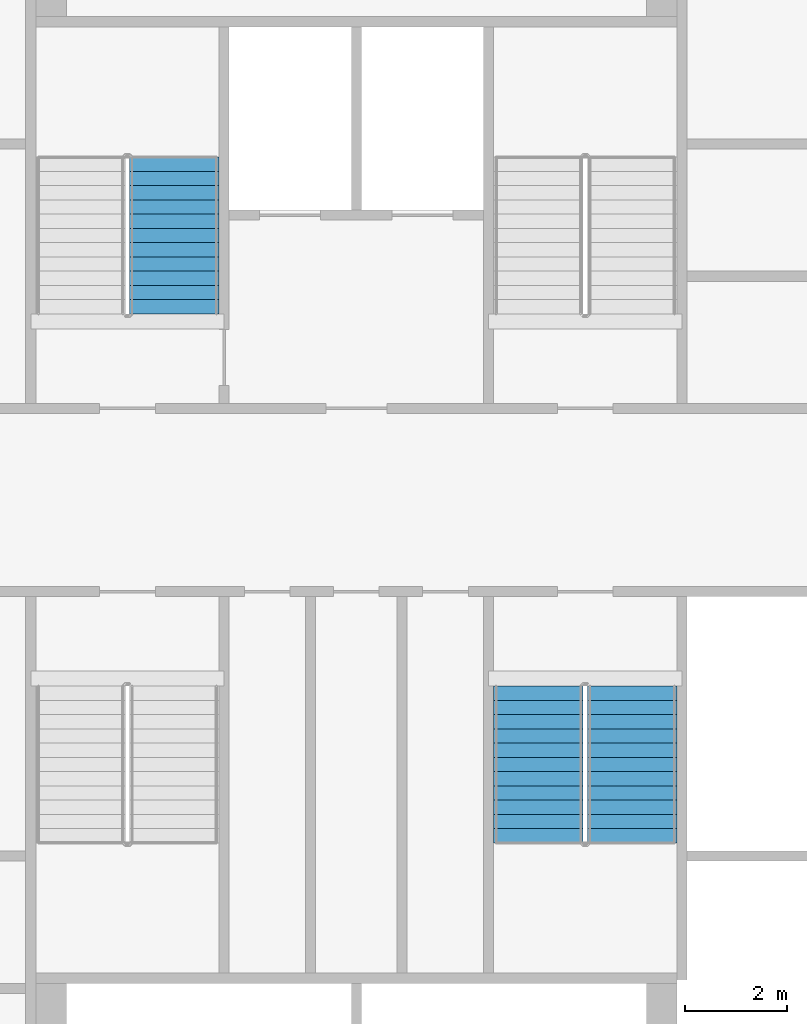
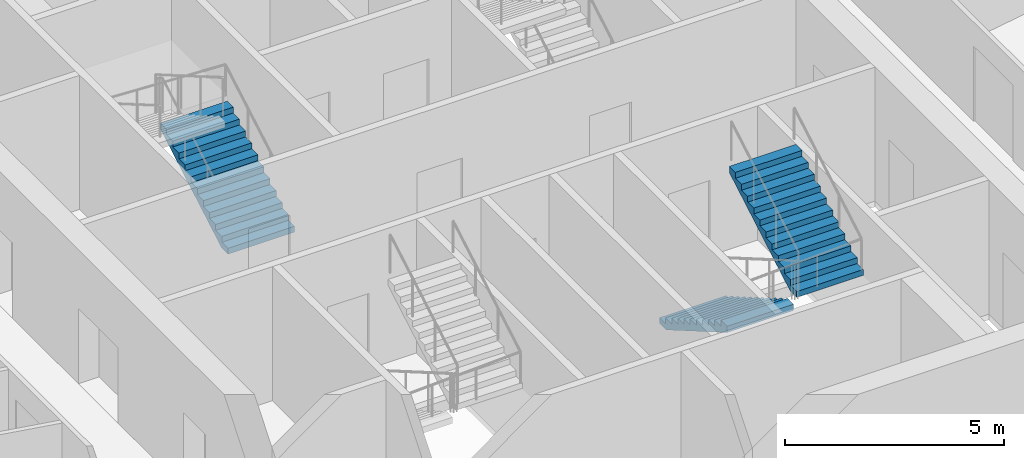
# One storey, part 8 of 14: 3 stair flights, 2 elements without a shape of their own.
"""IFC4 building model written with IfcOpenShell, lengths in metres."""

from ifc_helpers import new_model, si_unit, direction, frame, origin, place, context, subcontext, project, spatial, faceted_brep, material, type_object, element, aggregate, save


model = new_model("IFC4")

# Units and contexts
model_context = context("Model", 3, precision=1e-05, world=origin(), true_north=direction((0.0, 1.0)))
body_context = subcontext(model_context, "Body", "Model", "MODEL_VIEW")
ifc_project = project(units=[si_unit("LENGTHUNIT", "METRE"), si_unit("AREAUNIT", "SQUARE_METRE"), si_unit("VOLUMEUNIT", "CUBIC_METRE"), si_unit("PLANEANGLEUNIT", "RADIAN"), si_unit("MASSUNIT", "GRAM", prefix="KILO")], contexts=[model_context])

# Site, building, storey
site_placement = place(None, origin())
site = spatial("IfcSite", under=ifc_project, at=site_placement, CompositionType="ELEMENT")
building_placement = place(site_placement, origin())
building = spatial("IfcBuilding", under=site, at=building_placement, Name="Tarsis Ring Headquarters", CompositionType="ELEMENT")
storey_placement = place(building_placement, frame((0.0, 0.0, 235.5)))
storey = spatial("IfcBuildingStorey", under=building, at=storey_placement, Name="L55", CompositionType="ELEMENT", Elevation=235.5)

# Stair, stair flight
ifc_material_1 = material(Name="Core stair 1760")
stair_type = type_object("IfcStairType", Name="Core stair 1760", PredefinedType="HALF_TURN_STAIR", material=ifc_material_1)
stair_1_placement = place(storey_placement, origin())
stair_1 = element("IfcStair", 1, at=stair_1_placement, inside=storey, type_object=stair_type, Name="L55 Firefighting stair", PredefinedType="HALF_TURN_STAIR")
ifc_material_2 = material(Name="Concrete C40/50", Category="concrete")
stair_flight_type = type_object("IfcStairFlightType", Name="Core stair flight 1760", PredefinedType="STRAIGHT", material=ifc_material_2)
stair_flight_1_placement = place(storey_placement, frame((-3.580078125, 3.659912109375, 0.0), z_axis=(0.0, 0.0, 1.0), x_axis=(0.0, 1.0, 0.0)))
stair_flight_1 = element("IfcStairFlight", 2, at=stair_flight_1_placement, type_object=stair_flight_type, Name="Stair ST1 flight 1", NumberOfRisers=12, NumberOfTreads=11, PredefinedType="STRAIGHT", RiserHeight=0.1625, TreadLength=0.28, context=body_context, shape_type="Brep", body=[
    faceted_brep([(0.0, 0.8798828125, 0.0), (0.0, 0.8798828125, 0.16259765625), (0.280029296875, 0.8798828125, 0.16259765625), (0.280029296875, 0.8798828125, 0.324951171875), (0.56005859375, 0.8798828125, 0.324951171875), (0.56005859375, 0.8798828125, 0.487548828125), (0.840087890625, 0.8798828125, 0.487548828125), (0.840087890625, 0.8798828125, 0.64990234375), (1.1201171875, 0.8798828125, 0.64990234375), (1.1201171875, 0.8798828125, 0.8125), (1.39990234375, 0.8798828125, 0.8125), (1.39990234375, 0.8798828125, 0.97509765625), (1.679931640625, 0.8798828125, 0.97509765625), (1.679931640625, 0.8798828125, 1.137451171875), (1.9599609375, 0.8798828125, 1.137451171875), (1.9599609375, 0.8798828125, 1.300048828125), (2.239990234375, 0.8798828125, 1.300048828125), (2.239990234375, 0.8798828125, 1.46240234375), (2.52001953125, 0.8798828125, 1.46240234375), (2.52001953125, 0.8798828125, 1.625), (2.800048828125, 0.8798828125, 1.625), (2.800048828125, 0.8798828125, 1.78759765625), (3.080078125, 0.8798828125, 1.78759765625), (3.080078125, 0.8798828125, 1.6142578125), (0.298583984375, 0.8798828125, 0.0), (0.298583984375, -0.8798828125, 0.0), (3.080078125, -0.8798828125, 1.6142578125), (3.080078125, -0.8798828125, 1.78759765625), (2.800048828125, -0.8798828125, 1.78759765625), (2.800048828125, -0.8798828125, 1.625), (2.52001953125, -0.8798828125, 1.625), (2.52001953125, -0.8798828125, 1.46240234375), (2.239990234375, -0.8798828125, 1.46240234375), (2.239990234375, -0.8798828125, 1.300048828125), (1.9599609375, -0.8798828125, 1.300048828125), (1.9599609375, -0.8798828125, 1.137451171875), (1.679931640625, -0.8798828125, 1.137451171875), (1.679931640625, -0.8798828125, 0.97509765625), (1.39990234375, -0.8798828125, 0.97509765625), (1.39990234375, -0.8798828125, 0.8125), (1.1201171875, -0.8798828125, 0.8125), (1.1201171875, -0.8798828125, 0.64990234375), (0.840087890625, -0.8798828125, 0.64990234375), (0.840087890625, -0.8798828125, 0.487548828125), (0.56005859375, -0.8798828125, 0.487548828125), (0.56005859375, -0.8798828125, 0.324951171875), (0.280029296875, -0.8798828125, 0.324951171875), (0.280029296875, -0.8798828125, 0.16259765625), (0.0, -0.8798828125, 0.16259765625), (0.0, -0.8798828125, 0.0), (0.0, -0.43994140625, 0.16259765625), (0.0, -0.43994140625, 0.0), (0.0, 0.0, 0.16259765625), (0.0, 0.0, 0.0), (0.0, 0.43994140625, 0.16259765625), (0.0, 0.43994140625, 0.0), (0.280029296875, -0.43994140625, 0.16259765625), (0.280029296875, 0.0, 0.16259765625), (0.280029296875, 0.43994140625, 0.16259765625), (0.280029296875, -0.43994140625, 0.324951171875), (0.280029296875, 0.0, 0.324951171875), (0.280029296875, 0.43994140625, 0.324951171875), (0.56005859375, -0.43994140625, 0.324951171875), (0.56005859375, 0.0, 0.324951171875), (0.56005859375, 0.43994140625, 0.324951171875), (0.56005859375, -0.43994140625, 0.487548828125), (0.56005859375, 0.0, 0.487548828125), (0.56005859375, 0.43994140625, 0.487548828125), (0.840087890625, -0.43994140625, 0.487548828125), (0.840087890625, 0.0, 0.487548828125), (0.840087890625, 0.43994140625, 0.487548828125), (0.840087890625, -0.43994140625, 0.64990234375), (0.840087890625, 0.0, 0.64990234375), (0.840087890625, 0.43994140625, 0.64990234375), (1.1201171875, -0.43994140625, 0.64990234375), (1.1201171875, 0.0, 0.64990234375), (1.1201171875, 0.43994140625, 0.64990234375), (1.1201171875, -0.43994140625, 0.8125), (1.1201171875, 0.0, 0.8125), (1.1201171875, 0.43994140625, 0.8125), (1.39990234375, -0.43994140625, 0.8125), (1.39990234375, 0.0, 0.8125), (1.39990234375, 0.43994140625, 0.8125), (1.39990234375, -0.43994140625, 0.97509765625), (1.39990234375, 0.0, 0.97509765625), (1.39990234375, 0.43994140625, 0.97509765625), (1.679931640625, -0.43994140625, 0.97509765625), (1.679931640625, 0.0, 0.97509765625), (1.679931640625, 0.43994140625, 0.97509765625), (1.679931640625, -0.43994140625, 1.137451171875), (1.679931640625, 0.0, 1.137451171875), (1.679931640625, 0.43994140625, 1.137451171875), (1.9599609375, -0.43994140625, 1.137451171875), (1.9599609375, 0.0, 1.137451171875), (1.9599609375, 0.43994140625, 1.137451171875), (1.9599609375, -0.43994140625, 1.300048828125), (1.9599609375, 0.0, 1.300048828125), (1.9599609375, 0.43994140625, 1.300048828125), (2.239990234375, -0.43994140625, 1.300048828125), (2.239990234375, 0.0, 1.300048828125), (2.239990234375, 0.43994140625, 1.300048828125), (2.239990234375, -0.43994140625, 1.46240234375), (2.239990234375, 0.0, 1.46240234375), (2.239990234375, 0.43994140625, 1.46240234375), (2.52001953125, -0.43994140625, 1.46240234375), (2.52001953125, 0.0, 1.46240234375), (2.52001953125, 0.43994140625, 1.46240234375), (2.52001953125, -0.43994140625, 1.625), (2.52001953125, 0.0, 1.625), (2.52001953125, 0.43994140625, 1.625), (2.800048828125, -0.43994140625, 1.625), (2.800048828125, 0.0, 1.625), (2.800048828125, 0.43994140625, 1.625), (2.800048828125, -0.43994140625, 1.78759765625), (2.800048828125, 0.0, 1.78759765625), (2.800048828125, 0.43994140625, 1.78759765625), (3.080078125, -0.43994140625, 1.78759765625), (3.080078125, 0.0, 1.78759765625), (3.080078125, 0.43994140625, 1.78759765625), (3.080078125, -0.43994140625, 1.6142578125), (3.080078125, 0.0, 1.6142578125), (3.080078125, 0.43994140625, 1.6142578125), (0.298583984375, -0.43994140625, 0.0), (0.298583984375, 0.0, 0.0), (0.298583984375, 0.43994140625, 0.0)], [[[0, 1, 2, 3, 4, 5, 6, 7, 8, 9, 10, 11, 12, 13, 14, 15, 16, 17, 18, 19, 20, 21, 22, 23, 24]], [[25, 26, 27, 28, 29, 30, 31, 32, 33, 34, 35, 36, 37, 38, 39, 40, 41, 42, 43, 44, 45, 46, 47, 48, 49]], [[49, 48, 50, 51]], [[51, 50, 52, 53]], [[53, 52, 54, 55]], [[55, 54, 1, 0]], [[48, 47, 56, 50]], [[50, 56, 57, 52]], [[52, 57, 58, 54]], [[54, 58, 2, 1]], [[47, 46, 59, 56]], [[56, 59, 60, 57]], [[57, 60, 61, 58]], [[58, 61, 3, 2]], [[46, 45, 62, 59]], [[59, 62, 63, 60]], [[60, 63, 64, 61]], [[61, 64, 4, 3]], [[45, 44, 65, 62]], [[62, 65, 66, 63]], [[63, 66, 67, 64]], [[64, 67, 5, 4]], [[44, 43, 68, 65]], [[65, 68, 69, 66]], [[66, 69, 70, 67]], [[67, 70, 6, 5]], [[43, 42, 71, 68]], [[68, 71, 72, 69]], [[69, 72, 73, 70]], [[70, 73, 7, 6]], [[42, 41, 74, 71]], [[71, 74, 75, 72]], [[72, 75, 76, 73]], [[73, 76, 8, 7]], [[41, 40, 77, 74]], [[74, 77, 78, 75]], [[75, 78, 79, 76]], [[76, 79, 9, 8]], [[40, 39, 80, 77]], [[77, 80, 81, 78]], [[78, 81, 82, 79]], [[79, 82, 10, 9]], [[39, 38, 83, 80]], [[80, 83, 84, 81]], [[81, 84, 85, 82]], [[82, 85, 11, 10]], [[38, 37, 86, 83]], [[83, 86, 87, 84]], [[84, 87, 88, 85]], [[85, 88, 12, 11]], [[37, 36, 89, 86]], [[86, 89, 90, 87]], [[87, 90, 91, 88]], [[88, 91, 13, 12]], [[36, 35, 92, 89]], [[89, 92, 93, 90]], [[90, 93, 94, 91]], [[91, 94, 14, 13]], [[35, 34, 95, 92]], [[92, 95, 96, 93]], [[93, 96, 97, 94]], [[94, 97, 15, 14]], [[34, 33, 98, 95]], [[95, 98, 99, 96]], [[96, 99, 100, 97]], [[97, 100, 16, 15]], [[33, 32, 101, 98]], [[98, 101, 102, 99]], [[99, 102, 103, 100]], [[100, 103, 17, 16]], [[32, 31, 104, 101]], [[101, 104, 105, 102]], [[102, 105, 106, 103]], [[103, 106, 18, 17]], [[31, 30, 107, 104]], [[104, 107, 108, 105]], [[105, 108, 109, 106]], [[106, 109, 19, 18]], [[30, 29, 110, 107]], [[107, 110, 111, 108]], [[108, 111, 112, 109]], [[109, 112, 20, 19]], [[29, 28, 113, 110]], [[110, 113, 114, 111]], [[111, 114, 115, 112]], [[112, 115, 21, 20]], [[28, 27, 116, 113]], [[113, 116, 117, 114]], [[114, 117, 118, 115]], [[115, 118, 22, 21]], [[27, 26, 119, 116]], [[116, 119, 120, 117]], [[117, 120, 121, 118]], [[118, 121, 23, 22]], [[26, 25, 122, 119]], [[119, 122, 123, 120]], [[120, 123, 124, 121]], [[121, 124, 24, 23]], [[25, 49, 51, 122]], [[122, 51, 53, 123]], [[123, 53, 55, 124]], [[124, 55, 0, 24]]]),
])
aggregate(stair_1, [stair_flight_1])

# Stair, stair flights
stair_2_placement = place(storey_placement, origin())
stair_2 = element("IfcStair", 3, at=stair_2_placement, inside=storey, type_object=stair_type, Name="L55 Exit stair D", PredefinedType="HALF_TURN_STAIR")
stair_flight_2_placement = place(storey_placement, frame((3.580078125, -3.659912109375, 0.0), z_axis=(0.0, 0.0, 1.0), x_axis=(0.0, -1.0, 0.0)))
stair_flight_2 = element("IfcStairFlight", 4, at=stair_flight_2_placement, type_object=stair_flight_type, Name="Stair ST4 flight 1", NumberOfRisers=12, NumberOfTreads=11, PredefinedType="STRAIGHT", RiserHeight=0.1625, TreadLength=0.28, context=body_context, shape_type="Brep", body=[
    faceted_brep([(0.0, 0.8798828125, 0.0), (0.0, 0.8798828125, 0.16259765625), (0.280029296875, 0.8798828125, 0.16259765625), (0.280029296875, 0.8798828125, 0.324951171875), (0.56005859375, 0.8798828125, 0.324951171875), (0.56005859375, 0.8798828125, 0.487548828125), (0.840087890625, 0.8798828125, 0.487548828125), (0.840087890625, 0.8798828125, 0.64990234375), (1.1201171875, 0.8798828125, 0.64990234375), (1.1201171875, 0.8798828125, 0.8125), (1.39990234375, 0.8798828125, 0.8125), (1.39990234375, 0.8798828125, 0.97509765625), (1.679931640625, 0.8798828125, 0.97509765625), (1.679931640625, 0.8798828125, 1.137451171875), (1.9599609375, 0.8798828125, 1.137451171875), (1.9599609375, 0.8798828125, 1.300048828125), (2.239990234375, 0.8798828125, 1.300048828125), (2.239990234375, 0.8798828125, 1.46240234375), (2.52001953125, 0.8798828125, 1.46240234375), (2.52001953125, 0.8798828125, 1.625), (2.800048828125, 0.8798828125, 1.625), (2.800048828125, 0.8798828125, 1.78759765625), (3.080078125, 0.8798828125, 1.78759765625), (3.080078125, 0.8798828125, 1.6142578125), (0.298583984375, 0.8798828125, 0.0), (0.298583984375, -0.8798828125, 0.0), (3.080078125, -0.8798828125, 1.6142578125), (3.080078125, -0.8798828125, 1.78759765625), (2.800048828125, -0.8798828125, 1.78759765625), (2.800048828125, -0.8798828125, 1.625), (2.52001953125, -0.8798828125, 1.625), (2.52001953125, -0.8798828125, 1.46240234375), (2.239990234375, -0.8798828125, 1.46240234375), (2.239990234375, -0.8798828125, 1.300048828125), (1.9599609375, -0.8798828125, 1.300048828125), (1.9599609375, -0.8798828125, 1.137451171875), (1.679931640625, -0.8798828125, 1.137451171875), (1.679931640625, -0.8798828125, 0.97509765625), (1.39990234375, -0.8798828125, 0.97509765625), (1.39990234375, -0.8798828125, 0.8125), (1.1201171875, -0.8798828125, 0.8125), (1.1201171875, -0.8798828125, 0.64990234375), (0.840087890625, -0.8798828125, 0.64990234375), (0.840087890625, -0.8798828125, 0.487548828125), (0.56005859375, -0.8798828125, 0.487548828125), (0.56005859375, -0.8798828125, 0.324951171875), (0.280029296875, -0.8798828125, 0.324951171875), (0.280029296875, -0.8798828125, 0.16259765625), (0.0, -0.8798828125, 0.16259765625), (0.0, -0.8798828125, 0.0), (0.0, -0.43994140625, 0.16259765625), (0.0, -0.43994140625, 0.0), (0.0, 0.0, 0.16259765625), (0.0, 0.0, 0.0), (0.0, 0.43994140625, 0.16259765625), (0.0, 0.43994140625, 0.0), (0.280029296875, -0.43994140625, 0.16259765625), (0.280029296875, 0.0, 0.16259765625), (0.280029296875, 0.43994140625, 0.16259765625), (0.280029296875, -0.43994140625, 0.324951171875), (0.280029296875, 0.0, 0.324951171875), (0.280029296875, 0.43994140625, 0.324951171875), (0.56005859375, -0.43994140625, 0.324951171875), (0.56005859375, 0.0, 0.324951171875), (0.56005859375, 0.43994140625, 0.324951171875), (0.56005859375, -0.43994140625, 0.487548828125), (0.56005859375, 0.0, 0.487548828125), (0.56005859375, 0.43994140625, 0.487548828125), (0.840087890625, -0.43994140625, 0.487548828125), (0.840087890625, 0.0, 0.487548828125), (0.840087890625, 0.43994140625, 0.487548828125), (0.840087890625, -0.43994140625, 0.64990234375), (0.840087890625, 0.0, 0.64990234375), (0.840087890625, 0.43994140625, 0.64990234375), (1.1201171875, -0.43994140625, 0.64990234375), (1.1201171875, 0.0, 0.64990234375), (1.1201171875, 0.43994140625, 0.64990234375), (1.1201171875, -0.43994140625, 0.8125), (1.1201171875, 0.0, 0.8125), (1.1201171875, 0.43994140625, 0.8125), (1.39990234375, -0.43994140625, 0.8125), (1.39990234375, 0.0, 0.8125), (1.39990234375, 0.43994140625, 0.8125), (1.39990234375, -0.43994140625, 0.97509765625), (1.39990234375, 0.0, 0.97509765625), (1.39990234375, 0.43994140625, 0.97509765625), (1.679931640625, -0.43994140625, 0.97509765625), (1.679931640625, 0.0, 0.97509765625), (1.679931640625, 0.43994140625, 0.97509765625), (1.679931640625, -0.43994140625, 1.137451171875), (1.679931640625, 0.0, 1.137451171875), (1.679931640625, 0.43994140625, 1.137451171875), (1.9599609375, -0.43994140625, 1.137451171875), (1.9599609375, 0.0, 1.137451171875), (1.9599609375, 0.43994140625, 1.137451171875), (1.9599609375, -0.43994140625, 1.300048828125), (1.9599609375, 0.0, 1.300048828125), (1.9599609375, 0.43994140625, 1.300048828125), (2.239990234375, -0.43994140625, 1.300048828125), (2.239990234375, 0.0, 1.300048828125), (2.239990234375, 0.43994140625, 1.300048828125), (2.239990234375, -0.43994140625, 1.46240234375), (2.239990234375, 0.0, 1.46240234375), (2.239990234375, 0.43994140625, 1.46240234375), (2.52001953125, -0.43994140625, 1.46240234375), (2.52001953125, 0.0, 1.46240234375), (2.52001953125, 0.43994140625, 1.46240234375), (2.52001953125, -0.43994140625, 1.625), (2.52001953125, 0.0, 1.625), (2.52001953125, 0.43994140625, 1.625), (2.800048828125, -0.43994140625, 1.625), (2.800048828125, 0.0, 1.625), (2.800048828125, 0.43994140625, 1.625), (2.800048828125, -0.43994140625, 1.78759765625), (2.800048828125, 0.0, 1.78759765625), (2.800048828125, 0.43994140625, 1.78759765625), (3.080078125, -0.43994140625, 1.78759765625), (3.080078125, 0.0, 1.78759765625), (3.080078125, 0.43994140625, 1.78759765625), (3.080078125, -0.43994140625, 1.6142578125), (3.080078125, 0.0, 1.6142578125), (3.080078125, 0.43994140625, 1.6142578125), (0.298583984375, -0.43994140625, 0.0), (0.298583984375, 0.0, 0.0), (0.298583984375, 0.43994140625, 0.0)], [[[0, 1, 2, 3, 4, 5, 6, 7, 8, 9, 10, 11, 12, 13, 14, 15, 16, 17, 18, 19, 20, 21, 22, 23, 24]], [[25, 26, 27, 28, 29, 30, 31, 32, 33, 34, 35, 36, 37, 38, 39, 40, 41, 42, 43, 44, 45, 46, 47, 48, 49]], [[49, 48, 50, 51]], [[51, 50, 52, 53]], [[53, 52, 54, 55]], [[55, 54, 1, 0]], [[48, 47, 56, 50]], [[50, 56, 57, 52]], [[52, 57, 58, 54]], [[54, 58, 2, 1]], [[47, 46, 59, 56]], [[56, 59, 60, 57]], [[57, 60, 61, 58]], [[58, 61, 3, 2]], [[46, 45, 62, 59]], [[59, 62, 63, 60]], [[60, 63, 64, 61]], [[61, 64, 4, 3]], [[45, 44, 65, 62]], [[62, 65, 66, 63]], [[63, 66, 67, 64]], [[64, 67, 5, 4]], [[44, 43, 68, 65]], [[65, 68, 69, 66]], [[66, 69, 70, 67]], [[67, 70, 6, 5]], [[43, 42, 71, 68]], [[68, 71, 72, 69]], [[69, 72, 73, 70]], [[70, 73, 7, 6]], [[42, 41, 74, 71]], [[71, 74, 75, 72]], [[72, 75, 76, 73]], [[73, 76, 8, 7]], [[41, 40, 77, 74]], [[74, 77, 78, 75]], [[75, 78, 79, 76]], [[76, 79, 9, 8]], [[40, 39, 80, 77]], [[77, 80, 81, 78]], [[78, 81, 82, 79]], [[79, 82, 10, 9]], [[39, 38, 83, 80]], [[80, 83, 84, 81]], [[81, 84, 85, 82]], [[82, 85, 11, 10]], [[38, 37, 86, 83]], [[83, 86, 87, 84]], [[84, 87, 88, 85]], [[85, 88, 12, 11]], [[37, 36, 89, 86]], [[86, 89, 90, 87]], [[87, 90, 91, 88]], [[88, 91, 13, 12]], [[36, 35, 92, 89]], [[89, 92, 93, 90]], [[90, 93, 94, 91]], [[91, 94, 14, 13]], [[35, 34, 95, 92]], [[92, 95, 96, 93]], [[93, 96, 97, 94]], [[94, 97, 15, 14]], [[34, 33, 98, 95]], [[95, 98, 99, 96]], [[96, 99, 100, 97]], [[97, 100, 16, 15]], [[33, 32, 101, 98]], [[98, 101, 102, 99]], [[99, 102, 103, 100]], [[100, 103, 17, 16]], [[32, 31, 104, 101]], [[101, 104, 105, 102]], [[102, 105, 106, 103]], [[103, 106, 18, 17]], [[31, 30, 107, 104]], [[104, 107, 108, 105]], [[105, 108, 109, 106]], [[106, 109, 19, 18]], [[30, 29, 110, 107]], [[107, 110, 111, 108]], [[108, 111, 112, 109]], [[109, 112, 20, 19]], [[29, 28, 113, 110]], [[110, 113, 114, 111]], [[111, 114, 115, 112]], [[112, 115, 21, 20]], [[28, 27, 116, 113]], [[113, 116, 117, 114]], [[114, 117, 118, 115]], [[115, 118, 22, 21]], [[27, 26, 119, 116]], [[116, 119, 120, 117]], [[117, 120, 121, 118]], [[118, 121, 23, 22]], [[26, 25, 122, 119]], [[119, 122, 123, 120]], [[120, 123, 124, 121]], [[121, 124, 24, 23]], [[25, 49, 51, 122]], [[122, 51, 53, 123]], [[123, 53, 55, 124]], [[124, 55, 0, 24]]]),
])
stair_flight_3_placement = place(storey_placement, frame((5.419921875, -6.739990234375, 1.949951171875), z_axis=(0.0, 0.0, 1.0), x_axis=(0.0, 1.0, 0.0)))
stair_flight_3 = element("IfcStairFlight", 5, at=stair_flight_3_placement, type_object=stair_flight_type, Name="Stair ST4 flight 2", NumberOfRisers=12, NumberOfTreads=11, PredefinedType="STRAIGHT", RiserHeight=0.1625, TreadLength=0.28, context=body_context, shape_type="Brep", body=[
    faceted_brep([(0.0, 0.8798828125, 0.0), (0.0, 0.8798828125, 0.16259765625), (0.280029296875, 0.8798828125, 0.16259765625), (0.280029296875, 0.8798828125, 0.324951171875), (0.56005859375, 0.8798828125, 0.324951171875), (0.56005859375, 0.8798828125, 0.487548828125), (0.840087890625, 0.8798828125, 0.487548828125), (0.840087890625, 0.8798828125, 0.64990234375), (1.1201171875, 0.8798828125, 0.64990234375), (1.1201171875, 0.8798828125, 0.8125), (1.39990234375, 0.8798828125, 0.8125), (1.39990234375, 0.8798828125, 0.97509765625), (1.679931640625, 0.8798828125, 0.97509765625), (1.679931640625, 0.8798828125, 1.137451171875), (1.9599609375, 0.8798828125, 1.137451171875), (1.9599609375, 0.8798828125, 1.300048828125), (2.239990234375, 0.8798828125, 1.300048828125), (2.239990234375, 0.8798828125, 1.46240234375), (2.52001953125, 0.8798828125, 1.46240234375), (2.52001953125, 0.8798828125, 1.625), (2.800048828125, 0.8798828125, 1.625), (2.800048828125, 0.8798828125, 1.78759765625), (3.080078125, 0.8798828125, 1.78759765625), (3.080078125, 0.8798828125, 1.6142578125), (0.298583984375, 0.8798828125, 0.0), (0.298583984375, -0.8798828125, 0.0), (3.080078125, -0.8798828125, 1.6142578125), (3.080078125, -0.8798828125, 1.78759765625), (2.800048828125, -0.8798828125, 1.78759765625), (2.800048828125, -0.8798828125, 1.625), (2.52001953125, -0.8798828125, 1.625), (2.52001953125, -0.8798828125, 1.46240234375), (2.239990234375, -0.8798828125, 1.46240234375), (2.239990234375, -0.8798828125, 1.300048828125), (1.9599609375, -0.8798828125, 1.300048828125), (1.9599609375, -0.8798828125, 1.137451171875), (1.679931640625, -0.8798828125, 1.137451171875), (1.679931640625, -0.8798828125, 0.97509765625), (1.39990234375, -0.8798828125, 0.97509765625), (1.39990234375, -0.8798828125, 0.8125), (1.1201171875, -0.8798828125, 0.8125), (1.1201171875, -0.8798828125, 0.64990234375), (0.840087890625, -0.8798828125, 0.64990234375), (0.840087890625, -0.8798828125, 0.487548828125), (0.56005859375, -0.8798828125, 0.487548828125), (0.56005859375, -0.8798828125, 0.324951171875), (0.280029296875, -0.8798828125, 0.324951171875), (0.280029296875, -0.8798828125, 0.16259765625), (0.0, -0.8798828125, 0.16259765625), (0.0, -0.8798828125, 0.0), (0.0, -0.43994140625, 0.16259765625), (0.0, -0.43994140625, 0.0), (0.0, 0.0, 0.16259765625), (0.0, 0.0, 0.0), (0.0, 0.43994140625, 0.16259765625), (0.0, 0.43994140625, 0.0), (0.280029296875, -0.43994140625, 0.16259765625), (0.280029296875, 0.0, 0.16259765625), (0.280029296875, 0.43994140625, 0.16259765625), (0.280029296875, -0.43994140625, 0.324951171875), (0.280029296875, 0.0, 0.324951171875), (0.280029296875, 0.43994140625, 0.324951171875), (0.56005859375, -0.43994140625, 0.324951171875), (0.56005859375, 0.0, 0.324951171875), (0.56005859375, 0.43994140625, 0.324951171875), (0.56005859375, -0.43994140625, 0.487548828125), (0.56005859375, 0.0, 0.487548828125), (0.56005859375, 0.43994140625, 0.487548828125), (0.840087890625, -0.43994140625, 0.487548828125), (0.840087890625, 0.0, 0.487548828125), (0.840087890625, 0.43994140625, 0.487548828125), (0.840087890625, -0.43994140625, 0.64990234375), (0.840087890625, 0.0, 0.64990234375), (0.840087890625, 0.43994140625, 0.64990234375), (1.1201171875, -0.43994140625, 0.64990234375), (1.1201171875, 0.0, 0.64990234375), (1.1201171875, 0.43994140625, 0.64990234375), (1.1201171875, -0.43994140625, 0.8125), (1.1201171875, 0.0, 0.8125), (1.1201171875, 0.43994140625, 0.8125), (1.39990234375, -0.43994140625, 0.8125), (1.39990234375, 0.0, 0.8125), (1.39990234375, 0.43994140625, 0.8125), (1.39990234375, -0.43994140625, 0.97509765625), (1.39990234375, 0.0, 0.97509765625), (1.39990234375, 0.43994140625, 0.97509765625), (1.679931640625, -0.43994140625, 0.97509765625), (1.679931640625, 0.0, 0.97509765625), (1.679931640625, 0.43994140625, 0.97509765625), (1.679931640625, -0.43994140625, 1.137451171875), (1.679931640625, 0.0, 1.137451171875), (1.679931640625, 0.43994140625, 1.137451171875), (1.9599609375, -0.43994140625, 1.137451171875), (1.9599609375, 0.0, 1.137451171875), (1.9599609375, 0.43994140625, 1.137451171875), (1.9599609375, -0.43994140625, 1.300048828125), (1.9599609375, 0.0, 1.300048828125), (1.9599609375, 0.43994140625, 1.300048828125), (2.239990234375, -0.43994140625, 1.300048828125), (2.239990234375, 0.0, 1.300048828125), (2.239990234375, 0.43994140625, 1.300048828125), (2.239990234375, -0.43994140625, 1.46240234375), (2.239990234375, 0.0, 1.46240234375), (2.239990234375, 0.43994140625, 1.46240234375), (2.52001953125, -0.43994140625, 1.46240234375), (2.52001953125, 0.0, 1.46240234375), (2.52001953125, 0.43994140625, 1.46240234375), (2.52001953125, -0.43994140625, 1.625), (2.52001953125, 0.0, 1.625), (2.52001953125, 0.43994140625, 1.625), (2.800048828125, -0.43994140625, 1.625), (2.800048828125, 0.0, 1.625), (2.800048828125, 0.43994140625, 1.625), (2.800048828125, -0.43994140625, 1.78759765625), (2.800048828125, 0.0, 1.78759765625), (2.800048828125, 0.43994140625, 1.78759765625), (3.080078125, -0.43994140625, 1.78759765625), (3.080078125, 0.0, 1.78759765625), (3.080078125, 0.43994140625, 1.78759765625), (3.080078125, -0.43994140625, 1.6142578125), (3.080078125, 0.0, 1.6142578125), (3.080078125, 0.43994140625, 1.6142578125), (0.298583984375, -0.43994140625, 0.0), (0.298583984375, 0.0, 0.0), (0.298583984375, 0.43994140625, 0.0)], [[[0, 1, 2, 3, 4, 5, 6, 7, 8, 9, 10, 11, 12, 13, 14, 15, 16, 17, 18, 19, 20, 21, 22, 23, 24]], [[25, 26, 27, 28, 29, 30, 31, 32, 33, 34, 35, 36, 37, 38, 39, 40, 41, 42, 43, 44, 45, 46, 47, 48, 49]], [[49, 48, 50, 51]], [[51, 50, 52, 53]], [[53, 52, 54, 55]], [[55, 54, 1, 0]], [[48, 47, 56, 50]], [[50, 56, 57, 52]], [[52, 57, 58, 54]], [[54, 58, 2, 1]], [[47, 46, 59, 56]], [[56, 59, 60, 57]], [[57, 60, 61, 58]], [[58, 61, 3, 2]], [[46, 45, 62, 59]], [[59, 62, 63, 60]], [[60, 63, 64, 61]], [[61, 64, 4, 3]], [[45, 44, 65, 62]], [[62, 65, 66, 63]], [[63, 66, 67, 64]], [[64, 67, 5, 4]], [[44, 43, 68, 65]], [[65, 68, 69, 66]], [[66, 69, 70, 67]], [[67, 70, 6, 5]], [[43, 42, 71, 68]], [[68, 71, 72, 69]], [[69, 72, 73, 70]], [[70, 73, 7, 6]], [[42, 41, 74, 71]], [[71, 74, 75, 72]], [[72, 75, 76, 73]], [[73, 76, 8, 7]], [[41, 40, 77, 74]], [[74, 77, 78, 75]], [[75, 78, 79, 76]], [[76, 79, 9, 8]], [[40, 39, 80, 77]], [[77, 80, 81, 78]], [[78, 81, 82, 79]], [[79, 82, 10, 9]], [[39, 38, 83, 80]], [[80, 83, 84, 81]], [[81, 84, 85, 82]], [[82, 85, 11, 10]], [[38, 37, 86, 83]], [[83, 86, 87, 84]], [[84, 87, 88, 85]], [[85, 88, 12, 11]], [[37, 36, 89, 86]], [[86, 89, 90, 87]], [[87, 90, 91, 88]], [[88, 91, 13, 12]], [[36, 35, 92, 89]], [[89, 92, 93, 90]], [[90, 93, 94, 91]], [[91, 94, 14, 13]], [[35, 34, 95, 92]], [[92, 95, 96, 93]], [[93, 96, 97, 94]], [[94, 97, 15, 14]], [[34, 33, 98, 95]], [[95, 98, 99, 96]], [[96, 99, 100, 97]], [[97, 100, 16, 15]], [[33, 32, 101, 98]], [[98, 101, 102, 99]], [[99, 102, 103, 100]], [[100, 103, 17, 16]], [[32, 31, 104, 101]], [[101, 104, 105, 102]], [[102, 105, 106, 103]], [[103, 106, 18, 17]], [[31, 30, 107, 104]], [[104, 107, 108, 105]], [[105, 108, 109, 106]], [[106, 109, 19, 18]], [[30, 29, 110, 107]], [[107, 110, 111, 108]], [[108, 111, 112, 109]], [[109, 112, 20, 19]], [[29, 28, 113, 110]], [[110, 113, 114, 111]], [[111, 114, 115, 112]], [[112, 115, 21, 20]], [[28, 27, 116, 113]], [[113, 116, 117, 114]], [[114, 117, 118, 115]], [[115, 118, 22, 21]], [[27, 26, 119, 116]], [[116, 119, 120, 117]], [[117, 120, 121, 118]], [[118, 121, 23, 22]], [[26, 25, 122, 119]], [[119, 122, 123, 120]], [[120, 123, 124, 121]], [[121, 124, 24, 23]], [[25, 49, 51, 122]], [[122, 51, 53, 123]], [[123, 53, 55, 124]], [[124, 55, 0, 24]]]),
])
aggregate(stair_2, [stair_flight_2, stair_flight_3])

save(model, "model.ifc")
